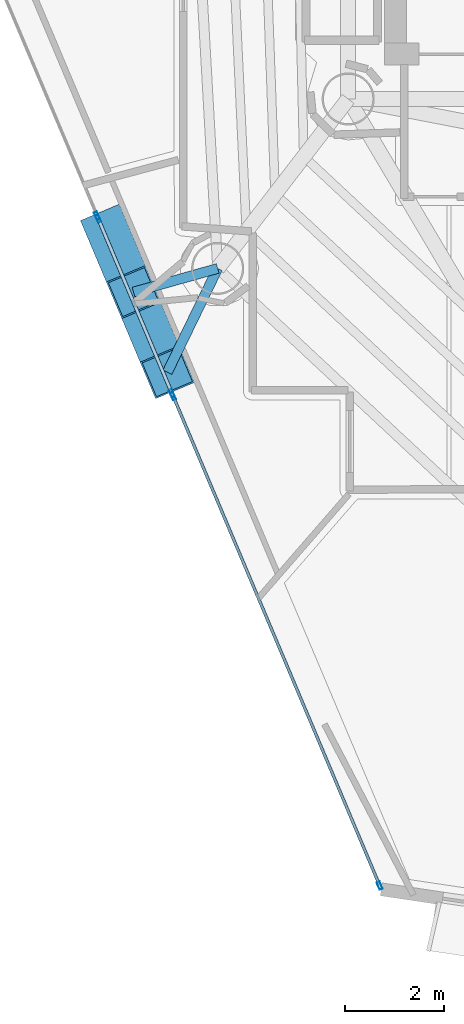
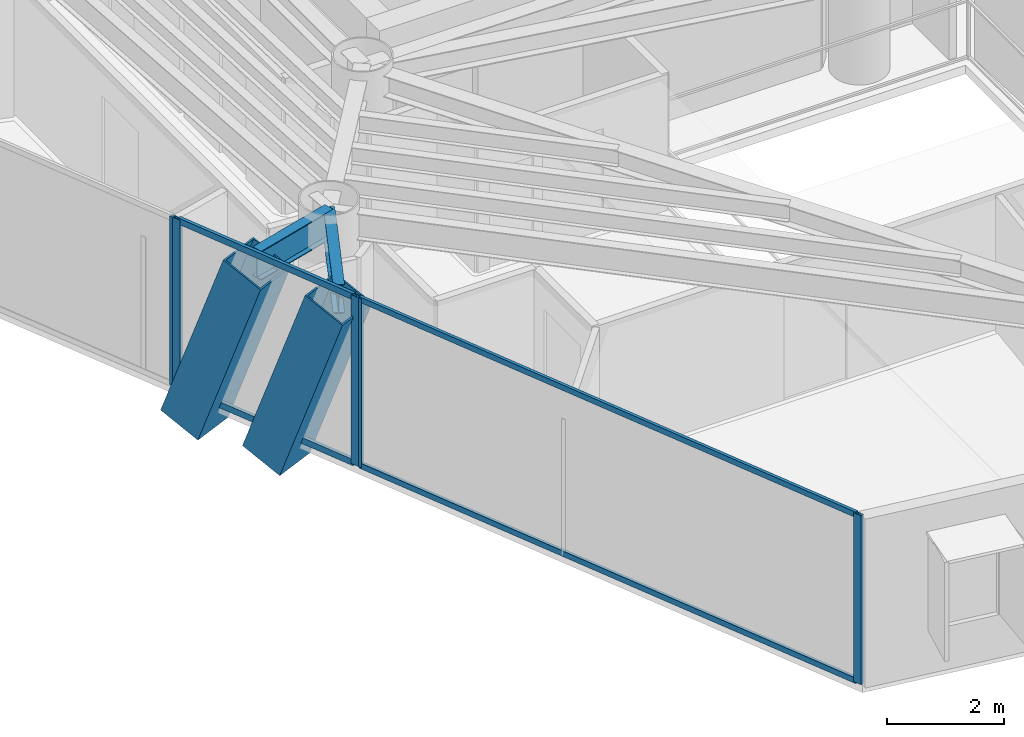
# One storey, part 2 of 21: 11 members, 2 beams, 3 elements without a shape of their own.
"""IFC4 building model written with IfcOpenShell, lengths in metres."""

from ifc_helpers import new_model, si_unit, direction, frame, origin, origin_2d, place, context, subcontext, project, spatial, hollow_rectangle, i_section, extrude, material, layer, layer_set, material_profile, profile_set, type_object, element, aggregate, save


model = new_model("IFC4")

# Units and contexts
model_context = context("Model", 3, precision=1e-05, world=origin(), true_north=direction((0.0, 1.0)))
body_context = subcontext(model_context, "Body", "Model", "MODEL_VIEW")
ifc_project = project(units=[si_unit("LENGTHUNIT", "METRE"), si_unit("AREAUNIT", "SQUARE_METRE"), si_unit("VOLUMEUNIT", "CUBIC_METRE"), si_unit("PLANEANGLEUNIT", "RADIAN"), si_unit("MASSUNIT", "GRAM", prefix="KILO")], contexts=[model_context])

# Site, building, storey
site_placement = place(None, origin())
site = spatial("IfcSite", under=ifc_project, at=site_placement, CompositionType="ELEMENT")
building_placement = place(site_placement, origin())
building = spatial("IfcBuilding", under=site, at=building_placement, Name="Qianvela Tower", CompositionType="ELEMENT")
storey_placement = place(building_placement, frame((0.0, 0.0, 246.39990234375)))
storey = spatial("IfcBuildingStorey", under=building, at=storey_placement, Name="L63", CompositionType="ELEMENT", Elevation=246.39990234375)

# Beams
ifc_material_1 = material(Name="Steel Q355B", Category="steel")
ifc_material_profile_1 = material_profile(ifc_material_1, i_section(OverallWidth=0.199951171875, OverallDepth=0.60009765625, WebThickness=0.010986328125, FlangeThickness=0.01708984375, at=origin_2d()), Name="HN600x200x11x17")
ifc_profile_set_1 = profile_set([ifc_material_profile_1], Name="Steel Q355B")
beam_type = type_object("IfcBeamType", Name="BM-HN600-GIRD", PredefinedType="BEAM", material=ifc_profile_set_1)
beam_1_placement = place(storey_placement, frame((25.971923828125, 20.43701171875, 3.218017578125), z_axis=(-0.962661100183, -0.270709449771, 0.0), x_axis=(0.270709449771, -0.962661100183, 0.0)))
element("IfcBeam", 1, at=beam_1_placement, inside=storey, type_object=beam_type, Name="L63 Mega-Brace Column Tie Bracket F2-1", PredefinedType="BEAM", context=body_context, shape_type="SweptSolid", body=[
    extrude(i_section(OverallWidth=0.199951171875, OverallDepth=0.60009765625, WebThickness=0.010986328125, FlangeThickness=0.01708984375, at=origin_2d()), origin(), (0.0, 0.0, 1.0), 1.76123046875),
])
beam_2_placement = place(storey_placement, frame((25.971923828125, 20.43701171875, 3.218017578125), z_axis=(-0.436299276058, -0.899801612419, 0.0), x_axis=(0.899801612419, -0.436299276058, 0.0)))
element("IfcBeam", 2, at=beam_2_placement, inside=storey, type_object=beam_type, Name="L63 Mega-Brace Column Tie Bracket F2-2", PredefinedType="BEAM", context=body_context, shape_type="SweptSolid", body=[
    extrude(i_section(OverallWidth=0.199951171875, OverallDepth=0.60009765625, WebThickness=0.010986328125, FlangeThickness=0.01708984375, at=origin_2d()), origin(), (0.0, 0.0, 1.0), 2.324462890625),
])

# Curtain wall, members
ifc_material_2 = material(Name="Anodised Architectural Aluminium and Insulated Spandrel Panel", Category="aluminium")
ifc_layer_1 = layer(ifc_material_2, 0.179931640625)
ifc_layer_set_1 = layer_set([ifc_layer_1], Name="Anodised Architectural Aluminium and Insulated Spandrel Panel")
curtain_wall_type_1 = type_object("IfcCurtainWallType", Name="CW-BRACEBAY", PredefinedType="USERDEFINED", material=ifc_layer_set_1)
curtain_wall_1_placement = place(storey_placement, origin())
curtain_wall_1 = element("IfcCurtainWall", 3, at=curtain_wall_1_placement, inside=storey, type_object=curtain_wall_type_1, Name="L63 CW-BRACEBAY Curtain Wall 04B", ObjectType="CURTAIN_WALL_SYSTEM", PredefinedType="USERDEFINED")
ifc_material_3 = material(Name="Anodised Architectural Aluminium 6063-T6", Category="aluminium")
ifc_material_profile_2 = material_profile(ifc_material_3, hollow_rectangle(XDim=0.06494140625, YDim=0.159912109375, WallThickness=0.0048828125, at=origin_2d()), Name="ALU-MULL-65x160")
ifc_profile_set_2 = profile_set([ifc_material_profile_2], Name="Anodised Architectural Aluminium 6063-T6")
member_type_1 = type_object("IfcMemberType", Name="CW-BRACEBAY-MULL", PredefinedType="MULLION", material=ifc_profile_set_2)
member_1_placement = place(storey_placement, frame((23.5654296875, 21.439208984375, 0.0), z_axis=(0.0, 0.0, 1.0), x_axis=(0.921325071401, 0.388793149126, 0.0)))
member_1 = element("IfcMember", 4, at=member_1_placement, type_object=member_type_1, Name="CW-9 mullion 1", PredefinedType="MULLION", context=body_context, shape_type="SweptSolid", body=[
    extrude(hollow_rectangle(XDim=0.06494140625, YDim=0.159912109375, WallThickness=0.0048828125, at=origin_2d()), origin(), (0.0, 0.0, 1.0), 3.52001953125),
])
member_2_placement = place(storey_placement, frame((25.048583984375, 17.924560546875, 0.0), z_axis=(0.0, 0.0, 1.0), x_axis=(0.921325071401, 0.388793149126, 0.0)))
member_2 = element("IfcMember", 5, at=member_2_placement, type_object=member_type_1, Name="CW-9 mullion 2", PredefinedType="MULLION", context=body_context, shape_type="SweptSolid", body=[
    extrude(hollow_rectangle(XDim=0.06494140625, YDim=0.159912109375, WallThickness=0.0048828125, at=origin_2d()), origin(), (0.0, 0.0, 1.0), 3.52001953125),
])
ifc_material_4 = material(Name="Anodised Architectural Aluminium 6063-T6", Category="aluminium")
ifc_material_profile_3 = material_profile(ifc_material_4, hollow_rectangle(XDim=0.06494140625, YDim=0.1298828125, WallThickness=0.00439453125, at=origin_2d()), Name="ALU-TRAN-65x130")
ifc_profile_set_3 = profile_set([ifc_material_profile_3], Name="Anodised Architectural Aluminium 6063-T6")
member_type_2 = type_object("IfcMemberType", Name="CW-BRACEBAY-TRAN", PredefinedType="USERDEFINED", material=ifc_profile_set_3)
member_3_placement = place(storey_placement, frame((23.578125, 21.409423828125, 0.03271484375), z_axis=(0.388790310856, -0.921326269128, 0.0), x_axis=(0.921326269128, 0.388790310856, 0.0)))
member_3 = element("IfcMember", 6, at=member_3_placement, type_object=member_type_2, Name="CW-9 transom 1.1", ObjectType="TRANSOM", PredefinedType="USERDEFINED", context=body_context, shape_type="SweptSolid", body=[
    extrude(hollow_rectangle(XDim=0.06494140625, YDim=0.1298828125, WallThickness=0.00439453125, at=origin_2d()), origin(), (0.0, 0.0, 1.0), 3.75),
])
member_4_placement = place(storey_placement, frame((23.578125, 21.409423828125, 3.487548828125), z_axis=(0.388790310856, -0.921326269128, 0.0), x_axis=(0.921326269128, 0.388790310856, 0.0)))
member_4 = element("IfcMember", 7, at=member_4_placement, type_object=member_type_2, Name="CW-9 transom 1.2", ObjectType="TRANSOM", PredefinedType="USERDEFINED", context=body_context, shape_type="SweptSolid", body=[
    extrude(hollow_rectangle(XDim=0.06494140625, YDim=0.1298828125, WallThickness=0.00439453125, at=origin_2d()), origin(), (0.0, 0.0, 1.0), 3.75),
])
aggregate(curtain_wall_1, [member_1, member_2, member_3, member_4])

# Curtain wall, member
ifc_material_5 = material(Name="Anodised Architectural Aluminium and Low-E Glass", Category="aluminium")
ifc_layer_2 = layer(ifc_material_5, 0.159912109375)
ifc_layer_set_2 = layer_set([ifc_layer_2], Name="Anodised Architectural Aluminium and Low-E Glass")
curtain_wall_type_2 = type_object("IfcCurtainWallType", Name="CW-COLIV-Z56", PredefinedType="USERDEFINED", material=ifc_layer_set_2)
curtain_wall_2_placement = place(storey_placement, origin())
curtain_wall_2 = element("IfcCurtainWall", 8, at=curtain_wall_2_placement, inside=storey, type_object=curtain_wall_type_2, Name="L63 CW-COLIV-Z56 Curtain Wall 04A", ObjectType="CURTAIN_WALL_SYSTEM", PredefinedType="USERDEFINED")
ifc_material_6 = material(Name="Anodised Architectural Aluminium 6063-T6", Category="aluminium")
ifc_material_profile_4 = material_profile(ifc_material_6, hollow_rectangle(XDim=0.06494140625, YDim=0.159912109375, WallThickness=0.0048828125, at=origin_2d()), Name="ALU-MULL-65x160")
ifc_profile_set_4 = profile_set([ifc_material_profile_4], Name="Anodised Architectural Aluminium 6063-T6")
member_type_3 = type_object("IfcMemberType", Name="CW-COLIV-Z56-MULL", PredefinedType="MULLION", material=ifc_profile_set_4)
member_5_placement = place(storey_placement, frame((23.540283203125, 21.4990234375, 0.0), z_axis=(0.0, 0.0, 1.0), x_axis=(0.92131901935, 0.388807490391, 0.0)))
member_5 = element("IfcMember", 9, at=member_5_placement, type_object=member_type_3, Name="CW-5 mullion 2", PredefinedType="MULLION", context=body_context, shape_type="SweptSolid", body=[
    extrude(hollow_rectangle(XDim=0.06494140625, YDim=0.159912109375, WallThickness=0.0048828125, at=origin_2d()), origin(), (0.0, 0.0, 1.0), 3.52001953125),
])
aggregate(curtain_wall_2, [member_5])

# Curtain wall, members
curtain_wall_3_placement = place(storey_placement, origin())
curtain_wall_3 = element("IfcCurtainWall", 10, at=curtain_wall_3_placement, inside=storey, type_object=curtain_wall_type_2, Name="L63 CW-COLIV-Z56 Curtain Wall 04C", ObjectType="CURTAIN_WALL_SYSTEM", PredefinedType="USERDEFINED")
member_6_placement = place(storey_placement, frame((25.073974609375, 17.864501953125, 0.0), z_axis=(0.0, 0.0, 1.0), x_axis=(0.921318625831, 0.388808422873, 0.0)))
member_6 = element("IfcMember", 11, at=member_6_placement, type_object=member_type_3, Name="CW-5 mullion 1", PredefinedType="MULLION", context=body_context, shape_type="SweptSolid", body=[
    extrude(hollow_rectangle(XDim=0.06494140625, YDim=0.159912109375, WallThickness=0.0048828125, at=origin_2d()), origin(), (0.0, 0.0, 1.0), 3.52001953125),
])
member_7_placement = place(storey_placement, frame((29.23486328125, 8.0048828125, 0.0), z_axis=(0.0, 0.0, 1.0), x_axis=(0.921318625831, 0.388808422873, 0.0)))
member_7 = element("IfcMember", 12, at=member_7_placement, type_object=member_type_3, Name="CW-5 mullion 2", PredefinedType="MULLION", context=body_context, shape_type="SweptSolid", body=[
    extrude(hollow_rectangle(XDim=0.06494140625, YDim=0.159912109375, WallThickness=0.0048828125, at=origin_2d()), origin(), (0.0, 0.0, 1.0), 3.52001953125),
])
ifc_material_7 = material(Name="Anodised Architectural Aluminium 6063-T6", Category="aluminium")
ifc_material_profile_5 = material_profile(ifc_material_7, hollow_rectangle(XDim=0.06005859375, YDim=0.114990234375, WallThickness=0.00390625, at=origin_2d()), Name="ALU-TRAN-60x115")
ifc_profile_set_5 = profile_set([ifc_material_profile_5], Name="Anodised Architectural Aluminium 6063-T6")
member_type_4 = type_object("IfcMemberType", Name="CW-COLIV-Z56-TRAN", PredefinedType="USERDEFINED", material=ifc_profile_set_5)
member_8_placement = place(storey_placement, frame((25.086669921875, 17.834716796875, 0.030029296875), z_axis=(0.388788488123, -0.9213270383, 0.0), x_axis=(0.9213270383, 0.388788488123, 0.0)))
member_8 = element("IfcMember", 13, at=member_8_placement, type_object=member_type_4, Name="CW-5 transom 1.1", ObjectType="TRANSOM", PredefinedType="USERDEFINED", context=body_context, shape_type="SweptSolid", body=[
    extrude(hollow_rectangle(XDim=0.06005859375, YDim=0.114990234375, WallThickness=0.00390625, at=origin_2d()), origin(), (0.0, 0.0, 1.0), 10.636962890625),
])
member_9_placement = place(storey_placement, frame((25.086669921875, 17.834716796875, 3.489990234375), z_axis=(0.388788488123, -0.9213270383, 0.0), x_axis=(0.9213270383, 0.388788488123, 0.0)))
member_9 = element("IfcMember", 14, at=member_9_placement, type_object=member_type_4, Name="CW-5 transom 1.2", ObjectType="TRANSOM", PredefinedType="USERDEFINED", context=body_context, shape_type="SweptSolid", body=[
    extrude(hollow_rectangle(XDim=0.06005859375, YDim=0.114990234375, WallThickness=0.00390625, at=origin_2d()), origin(), (0.0, 0.0, 1.0), 10.636962890625),
])
aggregate(curtain_wall_3, [member_6, member_7, member_8, member_9])

# Members
ifc_material_8 = material(Name="Steel Q420GJC", Category="steel")
ifc_material_profile_6 = material_profile(ifc_material_8, hollow_rectangle(XDim=0.85009765625, YDim=0.85009765625, WallThickness=0.031982421875, at=origin_2d()), Name="MBOX-850x850x32")
ifc_profile_set_6 = profile_set([ifc_material_profile_6], Name="Steel Q420GJC")
member_type_5 = type_object("IfcMemberType", Name="MBR-MBRACE-850", PredefinedType="BRACE", material=ifc_profile_set_6)
member_10_placement = place(storey_placement, frame((23.75439453125, 21.197509765625, -0.48193359375), z_axis=(0.132611062269, -0.314346521786, 0.940000303407), x_axis=(0.921368230239, 0.38869085956, 0.0)))
element("IfcMember", 15, at=member_10_placement, inside=storey, type_object=member_type_5, Name="L63 Tier 10 Exterior Mega-Brace F2A", PredefinedType="BRACE", context=body_context, shape_type="SweptSolid", body=[
    extrude(hollow_rectangle(XDim=0.85009765625, YDim=0.85009765625, WallThickness=0.031982421875, at=origin_2d()), origin(), (0.0, 0.0, 1.0), 3.93603515625),
])
member_11_placement = place(storey_placement, frame((24.435546875, 19.5830078125, -0.48193359375), z_axis=(0.132669409585, -0.314399830382, 0.939974241358), x_axis=(0.921330593533, 0.388780063043, 0.0)))
element("IfcMember", 16, at=member_11_placement, inside=storey, type_object=member_type_5, Name="L63 Tier 10 Exterior Mega-Brace F2B", PredefinedType="BRACE", context=body_context, shape_type="SweptSolid", body=[
    extrude(hollow_rectangle(XDim=0.85009765625, YDim=0.85009765625, WallThickness=0.031982421875, at=origin_2d()), origin(), (0.0, 0.0, 1.0), 3.936279296875),
])

save(model, "model.ifc")
